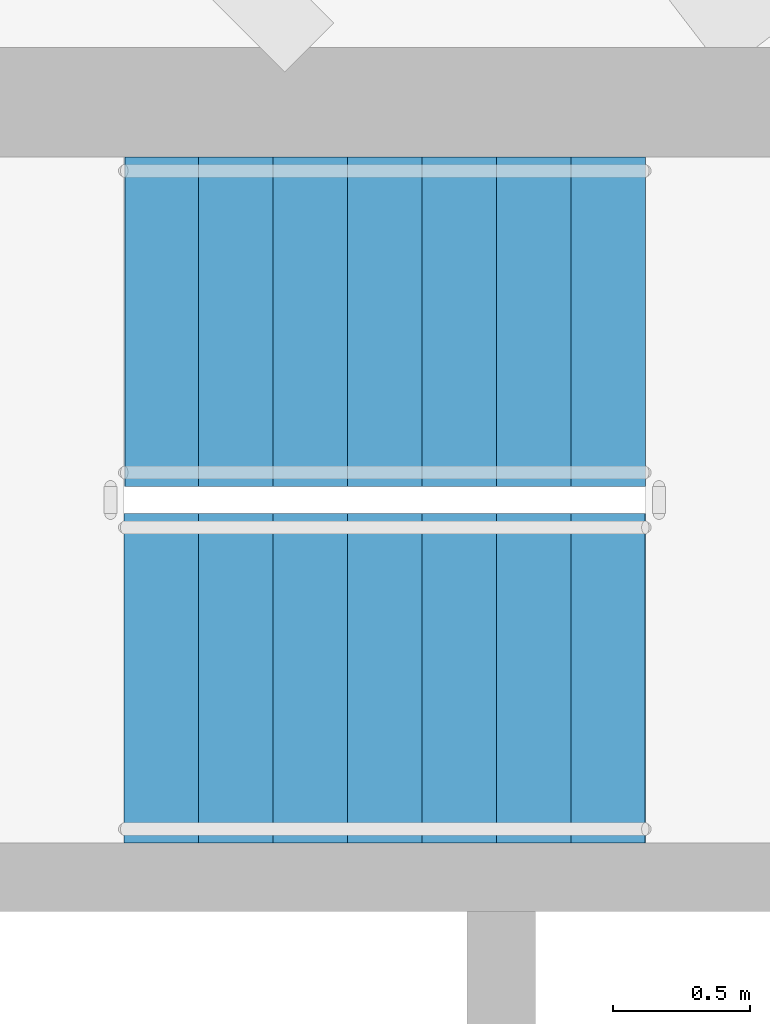
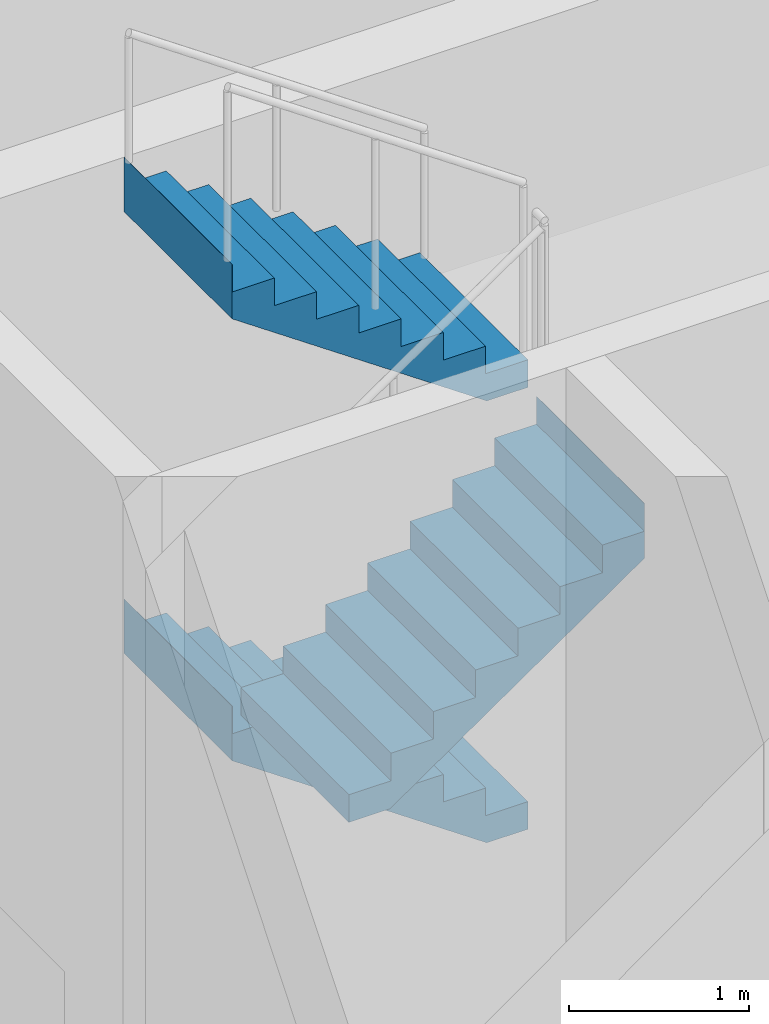
# One storey, part 10 of 14: 3 stair flights, 1 element without a shape of its own.
"""IFC4 building model written with IfcOpenShell, lengths in metres."""

import ifcopenshell
import ifcopenshell.guid

model = None  # the IFC model being written
_history = None  # IfcOwnerHistory: only IFC2X3 demands one
_inside = {}  # id of a spatial element -> (the spatial element, [elements in it])
_under = {}  # id of a project, library or spatial element -> (it, [spatial elements below it])
_declared = {}  # id of a project -> (the project, [libraries it declares])
_typed = {}  # id of a type object -> (the type object, [elements of that type])
_made_of = {}  # id of a material, layer set ... -> (it, [elements and type objects made of it])


def new_model(schema):
    """Start an empty IFC model of exactly this schema.

    Asked for "IFC4X3", IfcOpenShell would pick the latest addendum, in which some entities
    have other attributes; the version numbers below select the first issue.
    IFC2X3 requires an IfcOwnerHistory on every rooted entity: one is made here for all.
    """
    global model, _history
    if schema == "IFC4X3":
        model = ifcopenshell.file(schema_version=(4, 3, 0, 0))
    else:
        model = ifcopenshell.file(schema=schema)
    _inside.clear()
    _under.clear()
    _declared.clear()
    _typed.clear()
    _made_of.clear()
    _history = None
    if model.schema == "IFC2X3":
        org = make("IfcOrganization", Name="unknown")
        user = make(
            "IfcPersonAndOrganization",
            ThePerson=make("IfcPerson", FamilyName="unknown"),
            TheOrganization=org,
        )
        app = make(
            "IfcApplication",
            ApplicationDeveloper=org,
            Version="unknown",
            ApplicationFullName="unknown",
            ApplicationIdentifier="unknown",
        )
        _history = make(
            "IfcOwnerHistory",
            OwningUser=user,
            OwningApplication=app,
            ChangeAction="ADDED",
            CreationDate=0,
        )
    return model


def make(cls, **values):
    """One entity of the class cls with the attributes given. An attribute that is None is left unset."""
    return model.create_entity(
        cls, **{name: value for name, value in values.items() if value is not None}
    )


def rooted(cls, **values):
    """An entity with a GlobalId (a new one), such as an element, a storey or a relation."""
    return make(cls, GlobalId=ifcopenshell.guid.new(), OwnerHistory=_history, **values)


def si_unit(unit_type, name, prefix=None):
    """IfcSIUnit, for example si_unit("LENGTHUNIT", "METRE", prefix="MILLI")."""
    return make("IfcSIUnit", UnitType=unit_type, Prefix=prefix, Name=name)


def assignment(units):
    """IfcUnitAssignment: the units of a project."""
    return None if units is None else make("IfcUnitAssignment", Units=units)


def point(xyz):
    """IfcCartesianPoint."""
    return None if xyz is None else make("IfcCartesianPoint", Coordinates=xyz)


def direction(xyz):
    """IfcDirection."""
    return None if xyz is None else make("IfcDirection", DirectionRatios=xyz)


def frame(location, z_axis=None, x_axis=None):
    """IfcAxis2Placement3D, a coordinate frame: its origin and axes. An axis left out is left unset."""
    return make(
        "IfcAxis2Placement3D",
        Location=point(location),
        Axis=direction(z_axis),
        RefDirection=direction(x_axis),
    )


def origin():
    """The frame at (0, 0, 0) with its axes left unset."""
    return frame((0.0, 0.0, 0.0))


def place(relative_to, where):
    """IfcLocalPlacement: puts the frame where relative to a parent placement (None: the world)."""
    return make(
        "IfcLocalPlacement", PlacementRelTo=relative_to, RelativePlacement=where
    )


def context(
    kind, dimensions, precision=None, world=None, true_north=None, identifier=None
):
    """IfcGeometricRepresentationContext, for example the 3D "Model" context."""
    return make(
        "IfcGeometricRepresentationContext",
        ContextIdentifier=identifier,
        ContextType=kind,
        CoordinateSpaceDimension=dimensions,
        Precision=precision,
        WorldCoordinateSystem=world,
        TrueNorth=true_north,
    )


def subcontext(parent, identifier, kind, view, scale=None):
    """IfcGeometricRepresentationSubContext, for example "Body" below "Model"."""
    return make(
        "IfcGeometricRepresentationSubContext",
        ContextIdentifier=identifier,
        ContextType=kind,
        ParentContext=parent,
        TargetScale=scale,
        TargetView=view,
    )


def project(units=None, contexts=None):
    """IfcProject with its units and contexts."""
    return rooted(
        "IfcProject",
        Name="project",
        RepresentationContexts=contexts,
        UnitsInContext=assignment(units),
    )


def spatial(cls, under=None, at=None, **own):
    """A site, building, storey or space (cls), placed at a placement, below another one or the project."""
    s = rooted(cls, ObjectPlacement=at, **own)
    if under is not None:
        _under.setdefault(under.id(), (under, []))[1].append(s)
    return s


def point_list(points):
    """IfcCartesianPointList2D or 3D."""
    cls = (
        "IfcCartesianPointList2D" if len(points[0]) == 2 else "IfcCartesianPointList3D"
    )
    return make(cls, CoordList=points)


def triangles(points, corners, closed=None, point_numbers=None):
    """IfcTriangulatedFaceSet: each triangle names its three corners, points numbered from 1."""
    return make(
        "IfcTriangulatedFaceSet",
        Coordinates=point_list(points),
        Closed=closed,
        CoordIndex=corners,
        PnIndex=point_numbers,
    )


def shape(context_of_items, identifier, shape_type, items):
    """IfcShapeRepresentation: the items that make up one representation, for example the "Body"."""
    return make(
        "IfcShapeRepresentation",
        ContextOfItems=context_of_items,
        RepresentationIdentifier=identifier,
        RepresentationType=shape_type,
        Items=items,
    )


def material(Name=None, Category=None):
    """IfcMaterial."""
    return make("IfcMaterial", Name=Name, Category=Category)


def made_of(thing, what):
    """Note that an element or type object is made of a material, layer set ...; save() writes the relation."""
    if what is not None:
        _made_of.setdefault(what.id(), (what, []))[1].append(thing)
    return thing


def type_object(cls, material=None, **own):
    """A type object (cls), such as IfcWallType, which elements share."""
    return made_of(rooted(cls, **own), material)


def element(
    cls,
    number,
    at=None,
    inside=None,
    cuts=None,
    type_object=None,
    material=None,
    context=None,
    identifier="Body",
    shape_type=None,
    held_by="IfcProductDefinitionShape",
    body=None,
    shapes=None,
    **own,
):
    """One element of the class cls, such as IfcWall. Its Tag is "e" and its number.

    at: its placement. inside: the storey or other place that contains it. cuts: it is an
    opening in that element (IfcRelVoidsElement). A single representation is given by context,
    identifier, shape_type and body (its items); several are given by shapes. held_by: the class
    of the entity that holds the representations. save() writes the other relations.
    """
    e = rooted(cls, Tag="e%d" % number, ObjectPlacement=at, **own)
    if body is not None:
        shapes = [shape(context, identifier, shape_type, body)]
    if shapes is not None:
        e.Representation = make(held_by, Representations=shapes)
    if inside is not None:
        _inside.setdefault(inside.id(), (inside, []))[1].append(e)
    if cuts is not None:
        rooted(
            "IfcRelVoidsElement", RelatingBuildingElement=cuts, RelatedOpeningElement=e
        )
    if type_object is not None:
        _typed.setdefault(type_object.id(), (type_object, []))[1].append(e)
    return made_of(e, material)


def aggregate(whole, parts):
    """IfcRelAggregates: a whole, such as a stair, and the parts it consists of."""
    return rooted("IfcRelAggregates", RelatingObject=whole, RelatedObjects=parts)


def save(model, path):
    """Write the relations noted so far, then the file.

    IfcRelAggregates (storeys below a building ...), IfcRelContainedInSpatialStructure (elements
    in a storey), IfcRelDefinesByType, IfcRelAssociatesMaterial and IfcRelDeclares: one each for
    every whole, place, type object, material and project.
    """
    for whole, parts in _under.values():
        aggregate(whole, parts)
    for where, things in _inside.values():
        rooted(
            "IfcRelContainedInSpatialStructure",
            RelatedElements=things,
            RelatingStructure=where,
        )
    for kind, things in _typed.values():
        rooted("IfcRelDefinesByType", RelatedObjects=things, RelatingType=kind)
    for what, things in _made_of.values():
        rooted("IfcRelAssociatesMaterial", RelatedObjects=things, RelatingMaterial=what)
    for by, libraries in _declared.values():
        rooted("IfcRelDeclares", RelatingContext=by, RelatedDefinitions=libraries)
    model.write(path)


model = new_model("IFC4")

# Units and contexts
model_context = context("Model", 3, precision=1e-05, world=origin(), true_north=direction((0.0, 1.0)))
body_context = subcontext(model_context, "Body", "Model", "MODEL_VIEW")
ifc_project = project(units=[si_unit("LENGTHUNIT", "METRE"), si_unit("AREAUNIT", "SQUARE_METRE"), si_unit("VOLUMEUNIT", "CUBIC_METRE"), si_unit("PLANEANGLEUNIT", "RADIAN"), si_unit("MASSUNIT", "GRAM", prefix="KILO")], contexts=[model_context])

# Site, building, storey
site_placement = place(None, origin())
site = spatial("IfcSite", under=ifc_project, at=site_placement, CompositionType="ELEMENT")
building_placement = place(site_placement, origin())
building = spatial("IfcBuilding", under=site, at=building_placement, Name="Sahrelin Media Tower", CompositionType="ELEMENT")
storey_placement = place(building_placement, frame((0.0, 0.0, 329.800048828125)))
storey = spatial("IfcBuildingStorey", under=building, at=storey_placement, Name="L73", CompositionType="ELEMENT", Elevation=329.800048828125)

# Stair, stair flights
ifc_material = material(Name="Concrete C40/50", Category="concrete")
stair_type = type_object("IfcStairType", Name="Exit stair 1200", PredefinedType="HALF_TURN_STAIR", material=ifc_material)
stair_placement = place(storey_placement, origin())
stair = element("IfcStair", 1, at=stair_placement, inside=storey, type_object=stair_type, Name="L73 Exit stair ST1", PredefinedType="HALF_TURN_STAIR")
stair_flight_type = type_object("IfcStairFlightType", Name="Stair flight 1200", PredefinedType="STRAIGHT", material=ifc_material)
stair_flight_1_placement = place(storey_placement, frame((-5.77490234375, 6.0, 1.5), z_axis=(0.0, 0.0, 1.0), x_axis=(-1.0, 0.0, 0.0)))
stair_flight_1 = element("IfcStairFlight", 2, at=stair_flight_1_placement, type_object=stair_flight_type, Name="ST1 flight 2", NumberOfRisers=8, NumberOfTreads=7, PredefinedType="STRAIGHT", RiserHeight=0.1875, TreadLength=0.271428571, context=body_context, shape_type="Tessellation", body=[
    triangles([(0.263671875, 0.60009765625, 0.0), (0.263671875, 0.300048828125, 0.0), (0.263671875, 0.0, 0.0), (0.263671875, -0.300048828125, 0.0), (0.263671875, -0.60009765625, 0.0), (1.89990234375, 0.60009765625, 1.13037109375), (1.89990234375, 0.300048828125, 1.13037109375), (1.89990234375, 0.0, 1.13037109375), (1.89990234375, -0.300048828125, 1.13037109375), (1.89990234375, -0.60009765625, 1.13037109375), (1.89990234375, 0.60009765625, 1.5), (1.89990234375, 0.300048828125, 1.5), (1.89990234375, 0.0, 1.5), (1.89990234375, -0.300048828125, 1.5), (1.89990234375, -0.60009765625, 1.5), (1.89794921875, 0.60009765625, 1.5), (1.89794921875, 0.300048828125, 1.5), (1.89794921875, 0.0, 1.5), (1.89794921875, -0.300048828125, 1.5), (1.89794921875, -0.60009765625, 1.5), (1.89794921875, 0.60009765625, 1.3125), (1.89794921875, 0.300048828125, 1.3125), (1.89794921875, 0.0, 1.3125), (1.89794921875, -0.300048828125, 1.3125), (1.89794921875, -0.60009765625, 1.3125), (1.628662109375, 0.60009765625, 1.3125), (1.628662109375, 0.300048828125, 1.3125), (1.628662109375, 0.0, 1.3125), (1.628662109375, -0.300048828125, 1.3125), (1.628662109375, -0.60009765625, 1.3125), (1.628662109375, 0.60009765625, 1.125), (1.628662109375, 0.300048828125, 1.125), (1.628662109375, 0.0, 1.125), (1.628662109375, -0.300048828125, 1.125), (1.628662109375, -0.60009765625, 1.125), (1.357177734375, 0.60009765625, 1.125), (1.357177734375, 0.300048828125, 1.125), (1.357177734375, 0.0, 1.125), (1.357177734375, -0.300048828125, 1.125), (1.357177734375, -0.60009765625, 1.125), (1.357177734375, 0.60009765625, 0.9375), (1.357177734375, 0.300048828125, 0.9375), (1.357177734375, 0.0, 0.9375), (1.357177734375, -0.300048828125, 0.9375), (1.357177734375, -0.60009765625, 0.9375), (1.085693359375, 0.60009765625, 0.9375), (1.085693359375, 0.300048828125, 0.9375), (1.085693359375, 0.0, 0.9375), (1.085693359375, -0.300048828125, 0.9375), (1.085693359375, -0.60009765625, 0.9375), (1.085693359375, 0.60009765625, 0.75), (1.085693359375, 0.300048828125, 0.75), (1.085693359375, 0.0, 0.75), (1.085693359375, -0.300048828125, 0.75), (1.085693359375, -0.60009765625, 0.75), (0.814208984375, 0.60009765625, 0.75), (0.814208984375, 0.300048828125, 0.75), (0.814208984375, 0.0, 0.75), (0.814208984375, -0.300048828125, 0.75), (0.814208984375, -0.60009765625, 0.75), (0.814208984375, 0.60009765625, 0.5625), (0.814208984375, 0.300048828125, 0.5625), (0.814208984375, 0.0, 0.5625), (0.814208984375, -0.300048828125, 0.5625), (0.814208984375, -0.60009765625, 0.5625), (0.54296875, 0.60009765625, 0.5625), (0.54296875, 0.300048828125, 0.5625), (0.54296875, 0.0, 0.5625), (0.54296875, -0.300048828125, 0.5625), (0.54296875, -0.60009765625, 0.5625), (0.54296875, 0.60009765625, 0.375), (0.54296875, 0.300048828125, 0.375), (0.54296875, 0.0, 0.375), (0.54296875, -0.300048828125, 0.375), (0.54296875, -0.60009765625, 0.375), (0.271484375, 0.60009765625, 0.375), (0.271484375, 0.300048828125, 0.375), (0.271484375, 0.0, 0.375), (0.271484375, -0.300048828125, 0.375), (0.271484375, -0.60009765625, 0.375), (0.271484375, 0.60009765625, 0.1875), (0.271484375, 0.300048828125, 0.1875), (0.271484375, 0.0, 0.1875), (0.271484375, -0.300048828125, 0.1875), (0.271484375, -0.60009765625, 0.1875), (0.0, 0.60009765625, 0.1875), (0.0, 0.300048828125, 0.1875), (0.0, 0.0, 0.1875), (0.0, -0.300048828125, 0.1875), (0.0, -0.60009765625, 0.1875), (0.0, 0.60009765625, 0.0), (0.0, 0.300048828125, 0.0), (0.0, 0.0, 0.0), (0.0, -0.300048828125, 0.0), (0.0, -0.60009765625, 0.0)], [[1, 6, 7], [1, 7, 2], [2, 7, 8], [2, 8, 3], [3, 8, 9], [3, 9, 4], [4, 9, 10], [4, 10, 5], [6, 11, 12], [6, 12, 7], [7, 12, 13], [7, 13, 8], [8, 13, 14], [8, 14, 9], [9, 14, 15], [9, 15, 10], [11, 16, 17], [11, 17, 12], [12, 17, 18], [12, 18, 13], [13, 18, 19], [13, 19, 14], [14, 19, 20], [14, 20, 15], [16, 21, 22], [16, 22, 17], [17, 22, 23], [17, 23, 18], [18, 23, 24], [18, 24, 19], [19, 24, 25], [19, 25, 20], [21, 26, 27], [21, 27, 22], [22, 27, 28], [22, 28, 23], [23, 28, 29], [23, 29, 24], [24, 29, 30], [24, 30, 25], [26, 31, 32], [26, 32, 27], [27, 32, 33], [27, 33, 28], [28, 33, 34], [28, 34, 29], [29, 34, 35], [29, 35, 30], [31, 36, 37], [31, 37, 32], [32, 37, 38], [32, 38, 33], [33, 38, 39], [33, 39, 34], [34, 39, 40], [34, 40, 35], [36, 41, 42], [36, 42, 37], [37, 42, 43], [37, 43, 38], [38, 43, 44], [38, 44, 39], [39, 44, 45], [39, 45, 40], [41, 46, 47], [41, 47, 42], [42, 47, 48], [42, 48, 43], [43, 48, 49], [43, 49, 44], [44, 49, 50], [44, 50, 45], [46, 51, 52], [46, 52, 47], [47, 52, 53], [47, 53, 48], [48, 53, 54], [48, 54, 49], [49, 54, 55], [49, 55, 50], [51, 56, 57], [51, 57, 52], [52, 57, 58], [52, 58, 53], [53, 58, 59], [53, 59, 54], [54, 59, 60], [54, 60, 55], [56, 61, 62], [56, 62, 57], [57, 62, 63], [57, 63, 58], [58, 63, 64], [58, 64, 59], [59, 64, 65], [59, 65, 60], [61, 66, 67], [61, 67, 62], [62, 67, 68], [62, 68, 63], [63, 68, 69], [63, 69, 64], [64, 69, 70], [64, 70, 65], [66, 71, 72], [66, 72, 67], [67, 72, 73], [67, 73, 68], [68, 73, 74], [68, 74, 69], [69, 74, 75], [69, 75, 70], [71, 76, 77], [71, 77, 72], [72, 77, 78], [72, 78, 73], [73, 78, 79], [73, 79, 74], [74, 79, 80], [74, 80, 75], [76, 81, 82], [76, 82, 77], [77, 82, 83], [77, 83, 78], [78, 83, 84], [78, 84, 79], [79, 84, 85], [79, 85, 80], [81, 86, 87], [81, 87, 82], [82, 87, 88], [82, 88, 83], [83, 88, 89], [83, 89, 84], [84, 89, 90], [84, 90, 85], [86, 91, 92], [86, 92, 87], [87, 92, 93], [87, 93, 88], [88, 93, 94], [88, 94, 89], [89, 94, 95], [89, 95, 90], [91, 1, 2], [91, 2, 92], [92, 2, 3], [92, 3, 93], [93, 3, 4], [93, 4, 94], [94, 4, 5], [94, 5, 95], [5, 90, 95], [1, 91, 86], [85, 75, 80], [81, 76, 71], [75, 65, 70], [71, 66, 61], [65, 55, 60], [61, 56, 51], [55, 45, 50], [51, 46, 41], [45, 35, 40], [41, 36, 31], [10, 25, 30], [6, 26, 21], [25, 15, 20], [21, 16, 11], [5, 85, 90], [1, 86, 81], [55, 65, 5], [51, 1, 61], [10, 35, 45], [6, 41, 31], [25, 10, 15], [21, 11, 6], [75, 85, 5], [71, 1, 81], [45, 55, 10], [41, 6, 51], [30, 35, 10], [26, 6, 31], [65, 75, 5], [61, 1, 71], [5, 10, 55], [1, 51, 6]], closed=True),
])
stair_flight_2_placement = place(storey_placement, frame((-7.675048828125, 4.699951171875, 3.0), z_axis=(0.0, 0.0, 1.0), x_axis=(1.0, 0.0, 0.0)))
stair_flight_2 = element("IfcStairFlight", 3, at=stair_flight_2_placement, type_object=stair_flight_type, Name="ST1 flight 3", NumberOfRisers=8, NumberOfTreads=7, PredefinedType="STRAIGHT", RiserHeight=0.1875, TreadLength=0.271428571, context=body_context, shape_type="Tessellation", body=[
    triangles([(0.263671875, 0.60009765625, 0.0), (0.263671875, 0.300048828125, 0.0), (0.263671875, 0.0, 0.0), (0.263671875, -0.300048828125, 0.0), (0.263671875, -0.60009765625, 0.0), (1.89990234375, 0.60009765625, 1.13037109375), (1.89990234375, 0.300048828125, 1.13037109375), (1.89990234375, 0.0, 1.13037109375), (1.89990234375, -0.300048828125, 1.13037109375), (1.89990234375, -0.60009765625, 1.13037109375), (1.89990234375, 0.60009765625, 1.5), (1.89990234375, 0.300048828125, 1.5), (1.89990234375, 0.0, 1.5), (1.89990234375, -0.300048828125, 1.5), (1.89990234375, -0.60009765625, 1.5), (1.89794921875, 0.60009765625, 1.5), (1.89794921875, 0.300048828125, 1.5), (1.89794921875, 0.0, 1.5), (1.89794921875, -0.300048828125, 1.5), (1.89794921875, -0.60009765625, 1.5), (1.89794921875, 0.60009765625, 1.3125), (1.89794921875, 0.300048828125, 1.3125), (1.89794921875, 0.0, 1.3125), (1.89794921875, -0.300048828125, 1.3125), (1.89794921875, -0.60009765625, 1.3125), (1.628662109375, 0.60009765625, 1.3125), (1.628662109375, 0.300048828125, 1.3125), (1.628662109375, 0.0, 1.3125), (1.628662109375, -0.300048828125, 1.3125), (1.628662109375, -0.60009765625, 1.3125), (1.628662109375, 0.60009765625, 1.125), (1.628662109375, 0.300048828125, 1.125), (1.628662109375, 0.0, 1.125), (1.628662109375, -0.300048828125, 1.125), (1.628662109375, -0.60009765625, 1.125), (1.357177734375, 0.60009765625, 1.125), (1.357177734375, 0.300048828125, 1.125), (1.357177734375, 0.0, 1.125), (1.357177734375, -0.300048828125, 1.125), (1.357177734375, -0.60009765625, 1.125), (1.357177734375, 0.60009765625, 0.9375), (1.357177734375, 0.300048828125, 0.9375), (1.357177734375, 0.0, 0.9375), (1.357177734375, -0.300048828125, 0.9375), (1.357177734375, -0.60009765625, 0.9375), (1.085693359375, 0.60009765625, 0.9375), (1.085693359375, 0.300048828125, 0.9375), (1.085693359375, 0.0, 0.9375), (1.085693359375, -0.300048828125, 0.9375), (1.085693359375, -0.60009765625, 0.9375), (1.085693359375, 0.60009765625, 0.75), (1.085693359375, 0.300048828125, 0.75), (1.085693359375, 0.0, 0.75), (1.085693359375, -0.300048828125, 0.75), (1.085693359375, -0.60009765625, 0.75), (0.814208984375, 0.60009765625, 0.75), (0.814208984375, 0.300048828125, 0.75), (0.814208984375, 0.0, 0.75), (0.814208984375, -0.300048828125, 0.75), (0.814208984375, -0.60009765625, 0.75), (0.814208984375, 0.60009765625, 0.5625), (0.814208984375, 0.300048828125, 0.5625), (0.814208984375, 0.0, 0.5625), (0.814208984375, -0.300048828125, 0.5625), (0.814208984375, -0.60009765625, 0.5625), (0.54296875, 0.60009765625, 0.5625), (0.54296875, 0.300048828125, 0.5625), (0.54296875, 0.0, 0.5625), (0.54296875, -0.300048828125, 0.5625), (0.54296875, -0.60009765625, 0.5625), (0.54296875, 0.60009765625, 0.375), (0.54296875, 0.300048828125, 0.375), (0.54296875, 0.0, 0.375), (0.54296875, -0.300048828125, 0.375), (0.54296875, -0.60009765625, 0.375), (0.271484375, 0.60009765625, 0.375), (0.271484375, 0.300048828125, 0.375), (0.271484375, 0.0, 0.375), (0.271484375, -0.300048828125, 0.375), (0.271484375, -0.60009765625, 0.375), (0.271484375, 0.60009765625, 0.1875), (0.271484375, 0.300048828125, 0.1875), (0.271484375, 0.0, 0.1875), (0.271484375, -0.300048828125, 0.1875), (0.271484375, -0.60009765625, 0.1875), (0.0, 0.60009765625, 0.1875), (0.0, 0.300048828125, 0.1875), (0.0, 0.0, 0.1875), (0.0, -0.300048828125, 0.1875), (0.0, -0.60009765625, 0.1875), (0.0, 0.60009765625, 0.0), (0.0, 0.300048828125, 0.0), (0.0, 0.0, 0.0), (0.0, -0.300048828125, 0.0), (0.0, -0.60009765625, 0.0)], [[1, 6, 7], [1, 7, 2], [2, 7, 8], [2, 8, 3], [3, 8, 9], [3, 9, 4], [4, 9, 10], [4, 10, 5], [6, 11, 12], [6, 12, 7], [7, 12, 13], [7, 13, 8], [8, 13, 14], [8, 14, 9], [9, 14, 15], [9, 15, 10], [11, 16, 17], [11, 17, 12], [12, 17, 18], [12, 18, 13], [13, 18, 19], [13, 19, 14], [14, 19, 20], [14, 20, 15], [16, 21, 22], [16, 22, 17], [17, 22, 23], [17, 23, 18], [18, 23, 24], [18, 24, 19], [19, 24, 25], [19, 25, 20], [21, 26, 27], [21, 27, 22], [22, 27, 28], [22, 28, 23], [23, 28, 29], [23, 29, 24], [24, 29, 30], [24, 30, 25], [26, 31, 32], [26, 32, 27], [27, 32, 33], [27, 33, 28], [28, 33, 34], [28, 34, 29], [29, 34, 35], [29, 35, 30], [31, 36, 37], [31, 37, 32], [32, 37, 38], [32, 38, 33], [33, 38, 39], [33, 39, 34], [34, 39, 40], [34, 40, 35], [36, 41, 42], [36, 42, 37], [37, 42, 43], [37, 43, 38], [38, 43, 44], [38, 44, 39], [39, 44, 45], [39, 45, 40], [41, 46, 47], [41, 47, 42], [42, 47, 48], [42, 48, 43], [43, 48, 49], [43, 49, 44], [44, 49, 50], [44, 50, 45], [46, 51, 52], [46, 52, 47], [47, 52, 53], [47, 53, 48], [48, 53, 54], [48, 54, 49], [49, 54, 55], [49, 55, 50], [51, 56, 57], [51, 57, 52], [52, 57, 58], [52, 58, 53], [53, 58, 59], [53, 59, 54], [54, 59, 60], [54, 60, 55], [56, 61, 62], [56, 62, 57], [57, 62, 63], [57, 63, 58], [58, 63, 64], [58, 64, 59], [59, 64, 65], [59, 65, 60], [61, 66, 67], [61, 67, 62], [62, 67, 68], [62, 68, 63], [63, 68, 69], [63, 69, 64], [64, 69, 70], [64, 70, 65], [66, 71, 72], [66, 72, 67], [67, 72, 73], [67, 73, 68], [68, 73, 74], [68, 74, 69], [69, 74, 75], [69, 75, 70], [71, 76, 77], [71, 77, 72], [72, 77, 78], [72, 78, 73], [73, 78, 79], [73, 79, 74], [74, 79, 80], [74, 80, 75], [76, 81, 82], [76, 82, 77], [77, 82, 83], [77, 83, 78], [78, 83, 84], [78, 84, 79], [79, 84, 85], [79, 85, 80], [81, 86, 87], [81, 87, 82], [82, 87, 88], [82, 88, 83], [83, 88, 89], [83, 89, 84], [84, 89, 90], [84, 90, 85], [86, 91, 92], [86, 92, 87], [87, 92, 93], [87, 93, 88], [88, 93, 94], [88, 94, 89], [89, 94, 95], [89, 95, 90], [91, 1, 2], [91, 2, 92], [92, 2, 3], [92, 3, 93], [93, 3, 4], [93, 4, 94], [94, 4, 5], [94, 5, 95], [5, 90, 95], [1, 91, 86], [85, 75, 80], [81, 76, 71], [75, 65, 70], [71, 66, 61], [65, 55, 60], [61, 56, 51], [55, 45, 50], [51, 46, 41], [45, 35, 40], [41, 36, 31], [10, 25, 30], [6, 26, 21], [25, 15, 20], [21, 16, 11], [5, 85, 90], [1, 86, 81], [55, 65, 5], [51, 1, 61], [10, 35, 45], [6, 41, 31], [25, 10, 15], [21, 11, 6], [75, 85, 5], [71, 1, 81], [45, 55, 10], [41, 6, 51], [30, 35, 10], [26, 6, 31], [65, 75, 5], [61, 1, 71], [5, 10, 55], [1, 51, 6]], closed=True),
])
stair_flight_3_placement = place(storey_placement, frame((-5.77490234375, 6.0, 4.5), z_axis=(0.0, 0.0, 1.0), x_axis=(-1.0, 0.0, 0.0)))
stair_flight_3 = element("IfcStairFlight", 4, at=stair_flight_3_placement, type_object=stair_flight_type, Name="ST1 flight 4", NumberOfRisers=8, NumberOfTreads=7, PredefinedType="STRAIGHT", RiserHeight=0.1875, TreadLength=0.271428571, context=body_context, shape_type="Tessellation", body=[
    triangles([(0.263671875, 0.60009765625, 0.0), (0.263671875, 0.300048828125, 0.0), (0.263671875, 0.0, 0.0), (0.263671875, -0.300048828125, 0.0), (0.263671875, -0.60009765625, 0.0), (1.89990234375, 0.60009765625, 1.13037109375), (1.89990234375, 0.300048828125, 1.13037109375), (1.89990234375, 0.0, 1.13037109375), (1.89990234375, -0.300048828125, 1.13037109375), (1.89990234375, -0.60009765625, 1.13037109375), (1.89990234375, 0.60009765625, 1.5), (1.89990234375, 0.300048828125, 1.5), (1.89990234375, 0.0, 1.5), (1.89990234375, -0.300048828125, 1.5), (1.89990234375, -0.60009765625, 1.5), (1.89794921875, 0.60009765625, 1.5), (1.89794921875, 0.300048828125, 1.5), (1.89794921875, 0.0, 1.5), (1.89794921875, -0.300048828125, 1.5), (1.89794921875, -0.60009765625, 1.5), (1.89794921875, 0.60009765625, 1.3125), (1.89794921875, 0.300048828125, 1.3125), (1.89794921875, 0.0, 1.3125), (1.89794921875, -0.300048828125, 1.3125), (1.89794921875, -0.60009765625, 1.3125), (1.628662109375, 0.60009765625, 1.3125), (1.628662109375, 0.300048828125, 1.3125), (1.628662109375, 0.0, 1.3125), (1.628662109375, -0.300048828125, 1.3125), (1.628662109375, -0.60009765625, 1.3125), (1.628662109375, 0.60009765625, 1.125), (1.628662109375, 0.300048828125, 1.125), (1.628662109375, 0.0, 1.125), (1.628662109375, -0.300048828125, 1.125), (1.628662109375, -0.60009765625, 1.125), (1.357177734375, 0.60009765625, 1.125), (1.357177734375, 0.300048828125, 1.125), (1.357177734375, 0.0, 1.125), (1.357177734375, -0.300048828125, 1.125), (1.357177734375, -0.60009765625, 1.125), (1.357177734375, 0.60009765625, 0.9375), (1.357177734375, 0.300048828125, 0.9375), (1.357177734375, 0.0, 0.9375), (1.357177734375, -0.300048828125, 0.9375), (1.357177734375, -0.60009765625, 0.9375), (1.085693359375, 0.60009765625, 0.9375), (1.085693359375, 0.300048828125, 0.9375), (1.085693359375, 0.0, 0.9375), (1.085693359375, -0.300048828125, 0.9375), (1.085693359375, -0.60009765625, 0.9375), (1.085693359375, 0.60009765625, 0.75), (1.085693359375, 0.300048828125, 0.75), (1.085693359375, 0.0, 0.75), (1.085693359375, -0.300048828125, 0.75), (1.085693359375, -0.60009765625, 0.75), (0.814208984375, 0.60009765625, 0.75), (0.814208984375, 0.300048828125, 0.75), (0.814208984375, 0.0, 0.75), (0.814208984375, -0.300048828125, 0.75), (0.814208984375, -0.60009765625, 0.75), (0.814208984375, 0.60009765625, 0.5625), (0.814208984375, 0.300048828125, 0.5625), (0.814208984375, 0.0, 0.5625), (0.814208984375, -0.300048828125, 0.5625), (0.814208984375, -0.60009765625, 0.5625), (0.54296875, 0.60009765625, 0.5625), (0.54296875, 0.300048828125, 0.5625), (0.54296875, 0.0, 0.5625), (0.54296875, -0.300048828125, 0.5625), (0.54296875, -0.60009765625, 0.5625), (0.54296875, 0.60009765625, 0.375), (0.54296875, 0.300048828125, 0.375), (0.54296875, 0.0, 0.375), (0.54296875, -0.300048828125, 0.375), (0.54296875, -0.60009765625, 0.375), (0.271484375, 0.60009765625, 0.375), (0.271484375, 0.300048828125, 0.375), (0.271484375, 0.0, 0.375), (0.271484375, -0.300048828125, 0.375), (0.271484375, -0.60009765625, 0.375), (0.271484375, 0.60009765625, 0.1875), (0.271484375, 0.300048828125, 0.1875), (0.271484375, 0.0, 0.1875), (0.271484375, -0.300048828125, 0.1875), (0.271484375, -0.60009765625, 0.1875), (0.0, 0.60009765625, 0.1875), (0.0, 0.300048828125, 0.1875), (0.0, 0.0, 0.1875), (0.0, -0.300048828125, 0.1875), (0.0, -0.60009765625, 0.1875), (0.0, 0.60009765625, 0.0), (0.0, 0.300048828125, 0.0), (0.0, 0.0, 0.0), (0.0, -0.300048828125, 0.0), (0.0, -0.60009765625, 0.0)], [[1, 6, 7], [1, 7, 2], [2, 7, 8], [2, 8, 3], [3, 8, 9], [3, 9, 4], [4, 9, 10], [4, 10, 5], [6, 11, 12], [6, 12, 7], [7, 12, 13], [7, 13, 8], [8, 13, 14], [8, 14, 9], [9, 14, 15], [9, 15, 10], [11, 16, 17], [11, 17, 12], [12, 17, 18], [12, 18, 13], [13, 18, 19], [13, 19, 14], [14, 19, 20], [14, 20, 15], [16, 21, 22], [16, 22, 17], [17, 22, 23], [17, 23, 18], [18, 23, 24], [18, 24, 19], [19, 24, 25], [19, 25, 20], [21, 26, 27], [21, 27, 22], [22, 27, 28], [22, 28, 23], [23, 28, 29], [23, 29, 24], [24, 29, 30], [24, 30, 25], [26, 31, 32], [26, 32, 27], [27, 32, 33], [27, 33, 28], [28, 33, 34], [28, 34, 29], [29, 34, 35], [29, 35, 30], [31, 36, 37], [31, 37, 32], [32, 37, 38], [32, 38, 33], [33, 38, 39], [33, 39, 34], [34, 39, 40], [34, 40, 35], [36, 41, 42], [36, 42, 37], [37, 42, 43], [37, 43, 38], [38, 43, 44], [38, 44, 39], [39, 44, 45], [39, 45, 40], [41, 46, 47], [41, 47, 42], [42, 47, 48], [42, 48, 43], [43, 48, 49], [43, 49, 44], [44, 49, 50], [44, 50, 45], [46, 51, 52], [46, 52, 47], [47, 52, 53], [47, 53, 48], [48, 53, 54], [48, 54, 49], [49, 54, 55], [49, 55, 50], [51, 56, 57], [51, 57, 52], [52, 57, 58], [52, 58, 53], [53, 58, 59], [53, 59, 54], [54, 59, 60], [54, 60, 55], [56, 61, 62], [56, 62, 57], [57, 62, 63], [57, 63, 58], [58, 63, 64], [58, 64, 59], [59, 64, 65], [59, 65, 60], [61, 66, 67], [61, 67, 62], [62, 67, 68], [62, 68, 63], [63, 68, 69], [63, 69, 64], [64, 69, 70], [64, 70, 65], [66, 71, 72], [66, 72, 67], [67, 72, 73], [67, 73, 68], [68, 73, 74], [68, 74, 69], [69, 74, 75], [69, 75, 70], [71, 76, 77], [71, 77, 72], [72, 77, 78], [72, 78, 73], [73, 78, 79], [73, 79, 74], [74, 79, 80], [74, 80, 75], [76, 81, 82], [76, 82, 77], [77, 82, 83], [77, 83, 78], [78, 83, 84], [78, 84, 79], [79, 84, 85], [79, 85, 80], [81, 86, 87], [81, 87, 82], [82, 87, 88], [82, 88, 83], [83, 88, 89], [83, 89, 84], [84, 89, 90], [84, 90, 85], [86, 91, 92], [86, 92, 87], [87, 92, 93], [87, 93, 88], [88, 93, 94], [88, 94, 89], [89, 94, 95], [89, 95, 90], [91, 1, 2], [91, 2, 92], [92, 2, 3], [92, 3, 93], [93, 3, 4], [93, 4, 94], [94, 4, 5], [94, 5, 95], [5, 90, 95], [1, 91, 86], [85, 75, 80], [81, 76, 71], [75, 65, 70], [71, 66, 61], [65, 55, 60], [61, 56, 51], [55, 45, 50], [51, 46, 41], [45, 35, 40], [41, 36, 31], [10, 25, 30], [6, 26, 21], [25, 15, 20], [21, 16, 11], [5, 85, 90], [1, 86, 81], [55, 65, 5], [51, 1, 61], [10, 35, 45], [6, 41, 31], [25, 10, 15], [21, 11, 6], [75, 85, 5], [71, 1, 81], [45, 55, 10], [41, 6, 51], [30, 35, 10], [26, 6, 31], [65, 75, 5], [61, 1, 71], [5, 10, 55], [1, 51, 6]], closed=True),
])
aggregate(stair, [stair_flight_1, stair_flight_2, stair_flight_3])

save(model, "model.ifc")
